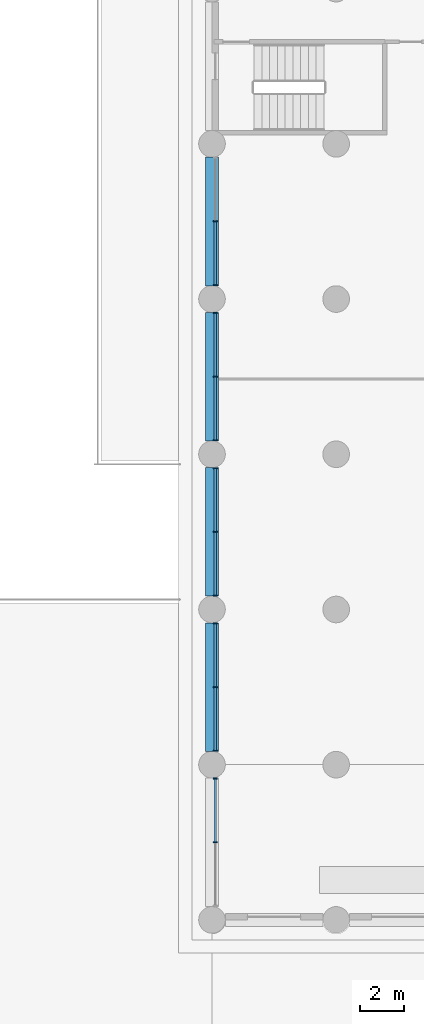
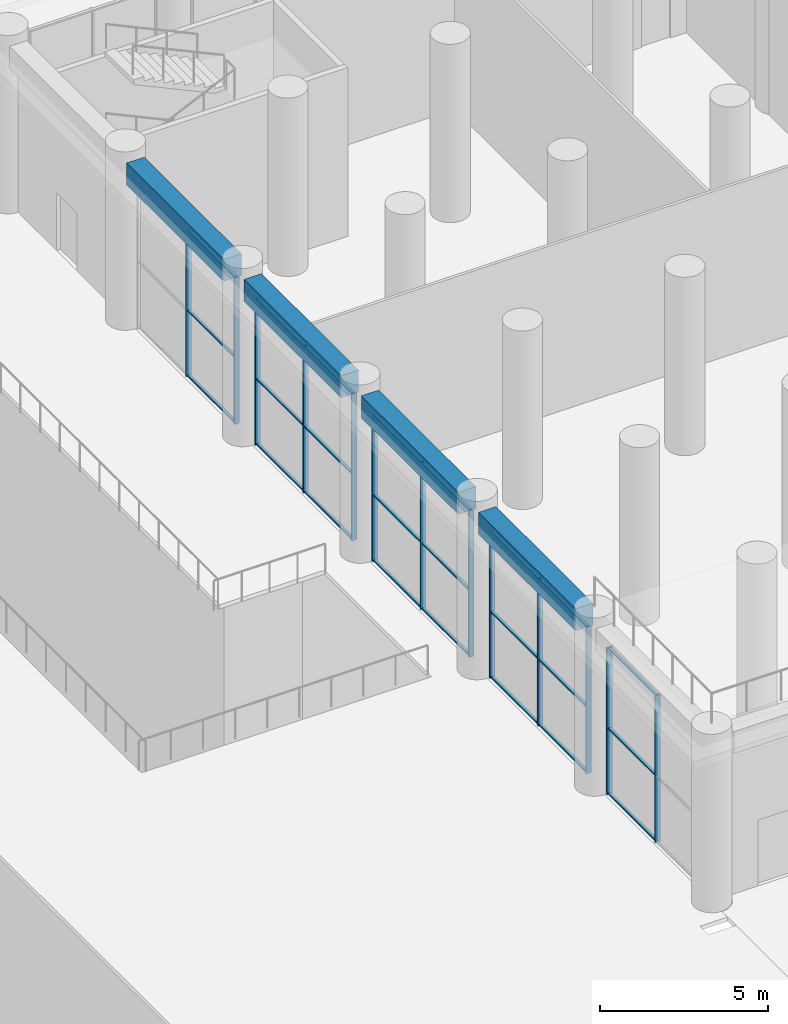
# One storey, part 5 of 51: 37 members, 4 beams, 5 elements without a shape of their own.
"""IFC4 building model written with IfcOpenShell, lengths in metres."""

from ifc_helpers import new_model, si_unit, direction, frame, origin, origin_2d, place, context, subcontext, project, spatial, rectangle, extrude, material, layer, layer_set, material_profile, profile_set, type_object, element, aggregate, save


model = new_model("IFC4")

# Units and contexts
model_context = context("Model", 3, precision=1e-05, world=origin(), true_north=direction((0.0, 1.0)))
body_context = subcontext(model_context, "Body", "Model", "MODEL_VIEW")
ifc_project = project(units=[si_unit("LENGTHUNIT", "METRE"), si_unit("AREAUNIT", "SQUARE_METRE"), si_unit("VOLUMEUNIT", "CUBIC_METRE"), si_unit("PLANEANGLEUNIT", "RADIAN"), si_unit("MASSUNIT", "GRAM", prefix="KILO")], contexts=[model_context])

# Site, building, storey
site_placement = place(None, origin())
site = spatial("IfcSite", under=ifc_project, at=site_placement, CompositionType="ELEMENT")
building_placement = place(site_placement, origin())
building = spatial("IfcBuilding", under=site, at=building_placement, Name="Kiln Ring Residences", CompositionType="ELEMENT")
storey_placement = place(building_placement, origin())
storey = spatial("IfcBuildingStorey", under=building, at=storey_placement, Name="L00", CompositionType="ELEMENT", Elevation=0.0)

# Curtain wall, members
ifc_material_1 = material(Name="Aluminium and glass", Category="aluminium")
ifc_layer = layer(ifc_material_1, 0.179931640625)
ifc_layer_set = layer_set([ifc_layer], Name="CW2 CURTAIN WALL")
curtain_wall_type = type_object("IfcCurtainWallType", Name="CW2 CURTAIN WALL", PredefinedType="NOTDEFINED", material=ifc_layer_set)
placement = place(storey_placement, origin())
curtain_wall_1 = element("IfcCurtainWall", 1, at=placement, inside=storey, type_object=curtain_wall_type, Name="Curtain wall CW2 L00", PredefinedType="NOTDEFINED")
ifc_material_2 = material(Name="Aluminium 6063-T6", Category="aluminium")
ifc_material_profile_1 = material_profile(ifc_material_2, rectangle(XDim=0.179931640625, YDim=0.050048828125, at=origin_2d()), Name="AL 180x50")
ifc_profile_set_1 = profile_set([ifc_material_profile_1], Name="Aluminium 6063-T6")
member_type_1 = type_object("IfcMemberType", Name="CW2 MULLION 180 x 50", PredefinedType="MULLION", material=ifc_profile_set_1)
member_1_placement = place(storey_placement, frame((-44.64990234375, -32.89990234375, 0.0), z_axis=(0.0, 0.0, 1.0), x_axis=(1.0, 0.0, 0.0)))
member_1 = element("IfcMember", 2, at=member_1_placement, type_object=member_type_1, Name="CW2 mullion 2", PredefinedType="MULLION", context=body_context, shape_type="SweptSolid", body=[
    extrude(rectangle(XDim=0.179931640625, YDim=0.050048828125, at=origin_2d()), origin(), (0.0, 0.0, 1.0), 5.35009765625),
])
member_2_placement = place(storey_placement, frame((-44.64990234375, -35.77490234375, 0.0), z_axis=(0.0, 0.0, 1.0), x_axis=(1.0, 0.0, 0.0)))
member_2 = element("IfcMember", 3, at=member_2_placement, type_object=member_type_1, Name="CW2 mullion 3", PredefinedType="MULLION", context=body_context, shape_type="SweptSolid", body=[
    extrude(rectangle(XDim=0.179931640625, YDim=0.050048828125, at=origin_2d()), origin(), (0.0, 0.0, 1.0), 5.35009765625),
])

curtain_wall_2 = element("IfcCurtainWall", 4, at=placement, inside=storey, type_object=curtain_wall_type, Name="Curtain wall CW2 L00", PredefinedType="NOTDEFINED")
member_3_placement = place(storey_placement, frame((-44.64990234375, -37.02490234375, 0.0), z_axis=(0.0, 0.0, 1.0), x_axis=(1.0, 0.0, 0.0)))
member_3 = element("IfcMember", 5, at=member_3_placement, type_object=member_type_1, Name="CW2 mullion 1", PredefinedType="MULLION", context=body_context, shape_type="SweptSolid", body=[
    extrude(rectangle(XDim=0.179931640625, YDim=0.050048828125, at=origin_2d()), origin(), (0.0, 0.0, 1.0), 5.35009765625),
])
member_4_placement = place(storey_placement, frame((-44.64990234375, -39.89990234375, 0.0), z_axis=(0.0, 0.0, 1.0), x_axis=(1.0, 0.0, 0.0)))
member_4 = element("IfcMember", 6, at=member_4_placement, type_object=member_type_1, Name="CW2 mullion 2", PredefinedType="MULLION", context=body_context, shape_type="SweptSolid", body=[
    extrude(rectangle(XDim=0.179931640625, YDim=0.050048828125, at=origin_2d()), origin(), (0.0, 0.0, 1.0), 5.35009765625),
])
member_5_placement = place(storey_placement, frame((-44.64990234375, -42.77490234375, 0.0), z_axis=(0.0, 0.0, 1.0), x_axis=(1.0, 0.0, 0.0)))
member_5 = element("IfcMember", 7, at=member_5_placement, type_object=member_type_1, Name="CW2 mullion 3", PredefinedType="MULLION", context=body_context, shape_type="SweptSolid", body=[
    extrude(rectangle(XDim=0.179931640625, YDim=0.050048828125, at=origin_2d()), origin(), (0.0, 0.0, 1.0), 5.35009765625),
])

curtain_wall_3 = element("IfcCurtainWall", 8, at=placement, inside=storey, type_object=curtain_wall_type, Name="Curtain wall CW2 L00", PredefinedType="NOTDEFINED")
member_6_placement = place(storey_placement, frame((-44.64990234375, -44.02490234375, 0.0), z_axis=(0.0, 0.0, 1.0), x_axis=(1.0, 0.0, 0.0)))
member_6 = element("IfcMember", 9, at=member_6_placement, type_object=member_type_1, Name="CW2 mullion 1", PredefinedType="MULLION", context=body_context, shape_type="SweptSolid", body=[
    extrude(rectangle(XDim=0.179931640625, YDim=0.050048828125, at=origin_2d()), origin(), (0.0, 0.0, 1.0), 5.35009765625),
])
member_7_placement = place(storey_placement, frame((-44.64990234375, -46.89990234375, 0.0), z_axis=(0.0, 0.0, 1.0), x_axis=(1.0, 0.0, 0.0)))
member_7 = element("IfcMember", 10, at=member_7_placement, type_object=member_type_1, Name="CW2 mullion 2", PredefinedType="MULLION", context=body_context, shape_type="SweptSolid", body=[
    extrude(rectangle(XDim=0.179931640625, YDim=0.050048828125, at=origin_2d()), origin(), (0.0, 0.0, 1.0), 5.35009765625),
])
member_8_placement = place(storey_placement, frame((-44.64990234375, -49.77490234375, 0.0), z_axis=(0.0, 0.0, 1.0), x_axis=(1.0, 0.0, 0.0)))
member_8 = element("IfcMember", 11, at=member_8_placement, type_object=member_type_1, Name="CW2 mullion 3", PredefinedType="MULLION", context=body_context, shape_type="SweptSolid", body=[
    extrude(rectangle(XDim=0.179931640625, YDim=0.050048828125, at=origin_2d()), origin(), (0.0, 0.0, 1.0), 5.35009765625),
])

curtain_wall_4 = element("IfcCurtainWall", 12, at=placement, inside=storey, type_object=curtain_wall_type, Name="Curtain wall CW2 L00", PredefinedType="NOTDEFINED")
member_9_placement = place(storey_placement, frame((-44.64990234375, -51.02490234375, 0.0), z_axis=(0.0, 0.0, 1.0), x_axis=(1.0, 0.0, 0.0)))
member_9 = element("IfcMember", 13, at=member_9_placement, type_object=member_type_1, Name="CW2 mullion 1", PredefinedType="MULLION", context=body_context, shape_type="SweptSolid", body=[
    extrude(rectangle(XDim=0.179931640625, YDim=0.050048828125, at=origin_2d()), origin(), (0.0, 0.0, 1.0), 5.35009765625),
])
member_10_placement = place(storey_placement, frame((-44.64990234375, -53.89990234375, 0.0), z_axis=(0.0, 0.0, 1.0), x_axis=(1.0, 0.0, 0.0)))
member_10 = element("IfcMember", 14, at=member_10_placement, type_object=member_type_1, Name="CW2 mullion 2", PredefinedType="MULLION", context=body_context, shape_type="SweptSolid", body=[
    extrude(rectangle(XDim=0.179931640625, YDim=0.050048828125, at=origin_2d()), origin(), (0.0, 0.0, 1.0), 5.35009765625),
])
member_11_placement = place(storey_placement, frame((-44.64990234375, -56.77490234375, 0.0), z_axis=(0.0, 0.0, 1.0), x_axis=(1.0, 0.0, 0.0)))
member_11 = element("IfcMember", 15, at=member_11_placement, type_object=member_type_1, Name="CW2 mullion 3", PredefinedType="MULLION", context=body_context, shape_type="SweptSolid", body=[
    extrude(rectangle(XDim=0.179931640625, YDim=0.050048828125, at=origin_2d()), origin(), (0.0, 0.0, 1.0), 5.35009765625),
])

curtain_wall_5 = element("IfcCurtainWall", 16, at=placement, inside=storey, type_object=curtain_wall_type, Name="Curtain wall CW2 L00", PredefinedType="NOTDEFINED")
member_12_placement = place(storey_placement, frame((-44.64990234375, -58.02490234375, 0.0), z_axis=(0.0, 0.0, 1.0), x_axis=(1.0, 0.0, 0.0)))
member_12 = element("IfcMember", 17, at=member_12_placement, type_object=member_type_1, Name="CW2 mullion 1", PredefinedType="MULLION", context=body_context, shape_type="SweptSolid", body=[
    extrude(rectangle(XDim=0.179931640625, YDim=0.050048828125, at=origin_2d()), origin(), (0.0, 0.0, 1.0), 5.35009765625),
])
member_13_placement = place(storey_placement, frame((-44.64990234375, -60.89990234375, 0.0), z_axis=(0.0, 0.0, 1.0), x_axis=(1.0, 0.0, 0.0)))
member_13 = element("IfcMember", 18, at=member_13_placement, type_object=member_type_1, Name="CW2 mullion 2", PredefinedType="MULLION", context=body_context, shape_type="SweptSolid", body=[
    extrude(rectangle(XDim=0.179931640625, YDim=0.050048828125, at=origin_2d()), origin(), (0.0, 0.0, 1.0), 5.35009765625),
])

# Member
ifc_material_3 = material(Name="Aluminium 6063-T6", Category="aluminium")
ifc_material_profile_2 = material_profile(ifc_material_3, rectangle(XDim=0.10009765625, YDim=0.050048828125, at=origin_2d()), Name="AL 100x50")
ifc_profile_set_2 = profile_set([ifc_material_profile_2], Name="Aluminium 6063-T6")
member_type_2 = type_object("IfcMemberType", Name="CW2 TRANSOM 100 x 50", PredefinedType="USERDEFINED", material=ifc_profile_set_2)
member_14_placement = place(storey_placement, frame((-44.64990234375, -32.925048828125, 0.02490234375), z_axis=(0.0, -1.0, 0.0), x_axis=(1.0, 0.0, 0.0)))
member_14 = element("IfcMember", 19, at=member_14_placement, type_object=member_type_2, Name="CW2 transom 2.1", ObjectType="TRANSOM", PredefinedType="USERDEFINED", context=body_context, shape_type="SweptSolid", body=[
    extrude(rectangle(XDim=0.10009765625, YDim=0.050048828125, at=origin_2d()), origin(), (0.0, 0.0, 1.0), 2.824951171875),
])

member_15_placement = place(storey_placement, frame((-44.64990234375, -32.925048828125, 2.39990234375), z_axis=(0.0, -1.0, 0.0), x_axis=(1.0, 0.0, 0.0)))
member_15 = element("IfcMember", 20, at=member_15_placement, type_object=member_type_2, Name="CW2 transom 2.2", ObjectType="TRANSOM", PredefinedType="USERDEFINED", context=body_context, shape_type="SweptSolid", body=[
    extrude(rectangle(XDim=0.10009765625, YDim=0.050048828125, at=origin_2d()), origin(), (0.0, 0.0, 1.0), 2.824951171875),
])

member_16_placement = place(storey_placement, frame((-44.64990234375, -32.925048828125, 5.324951171875), z_axis=(0.0, -1.0, 0.0), x_axis=(1.0, 0.0, 0.0)))
member_16 = element("IfcMember", 21, at=member_16_placement, type_object=member_type_2, Name="CW2 transom 2.3", ObjectType="TRANSOM", PredefinedType="USERDEFINED", context=body_context, shape_type="SweptSolid", body=[
    extrude(rectangle(XDim=0.10009765625, YDim=0.050048828125, at=origin_2d()), origin(), (0.0, 0.0, 1.0), 2.824951171875),
])

aggregate(curtain_wall_1, [member_1, member_2, member_14, member_15, member_16])

member_17_placement = place(storey_placement, frame((-44.64990234375, -37.050048828125, 0.02490234375), z_axis=(0.0, -1.0, 0.0), x_axis=(1.0, 0.0, 0.0)))
member_17 = element("IfcMember", 22, at=member_17_placement, type_object=member_type_2, Name="CW2 transom 1.1", ObjectType="TRANSOM", PredefinedType="USERDEFINED", context=body_context, shape_type="SweptSolid", body=[
    extrude(rectangle(XDim=0.10009765625, YDim=0.050048828125, at=origin_2d()), origin(), (0.0, 0.0, 1.0), 2.824951171875),
])

member_18_placement = place(storey_placement, frame((-44.64990234375, -37.050048828125, 2.39990234375), z_axis=(0.0, -1.0, 0.0), x_axis=(1.0, 0.0, 0.0)))
member_18 = element("IfcMember", 23, at=member_18_placement, type_object=member_type_2, Name="CW2 transom 1.2", ObjectType="TRANSOM", PredefinedType="USERDEFINED", context=body_context, shape_type="SweptSolid", body=[
    extrude(rectangle(XDim=0.10009765625, YDim=0.050048828125, at=origin_2d()), origin(), (0.0, 0.0, 1.0), 2.824951171875),
])

member_19_placement = place(storey_placement, frame((-44.64990234375, -37.050048828125, 5.324951171875), z_axis=(0.0, -1.0, 0.0), x_axis=(1.0, 0.0, 0.0)))
member_19 = element("IfcMember", 24, at=member_19_placement, type_object=member_type_2, Name="CW2 transom 1.3", ObjectType="TRANSOM", PredefinedType="USERDEFINED", context=body_context, shape_type="SweptSolid", body=[
    extrude(rectangle(XDim=0.10009765625, YDim=0.050048828125, at=origin_2d()), origin(), (0.0, 0.0, 1.0), 2.824951171875),
])

member_20_placement = place(storey_placement, frame((-44.64990234375, -39.925048828125, 0.02490234375), z_axis=(0.0, -1.0, 0.0), x_axis=(1.0, 0.0, 0.0)))
member_20 = element("IfcMember", 25, at=member_20_placement, type_object=member_type_2, Name="CW2 transom 2.1", ObjectType="TRANSOM", PredefinedType="USERDEFINED", context=body_context, shape_type="SweptSolid", body=[
    extrude(rectangle(XDim=0.10009765625, YDim=0.050048828125, at=origin_2d()), origin(), (0.0, 0.0, 1.0), 2.824951171875),
])

member_21_placement = place(storey_placement, frame((-44.64990234375, -39.925048828125, 2.39990234375), z_axis=(0.0, -1.0, 0.0), x_axis=(1.0, 0.0, 0.0)))
member_21 = element("IfcMember", 26, at=member_21_placement, type_object=member_type_2, Name="CW2 transom 2.2", ObjectType="TRANSOM", PredefinedType="USERDEFINED", context=body_context, shape_type="SweptSolid", body=[
    extrude(rectangle(XDim=0.10009765625, YDim=0.050048828125, at=origin_2d()), origin(), (0.0, 0.0, 1.0), 2.824951171875),
])

member_22_placement = place(storey_placement, frame((-44.64990234375, -39.925048828125, 5.324951171875), z_axis=(0.0, -1.0, 0.0), x_axis=(1.0, 0.0, 0.0)))
member_22 = element("IfcMember", 27, at=member_22_placement, type_object=member_type_2, Name="CW2 transom 2.3", ObjectType="TRANSOM", PredefinedType="USERDEFINED", context=body_context, shape_type="SweptSolid", body=[
    extrude(rectangle(XDim=0.10009765625, YDim=0.050048828125, at=origin_2d()), origin(), (0.0, 0.0, 1.0), 2.824951171875),
])

aggregate(curtain_wall_2, [member_3, member_4, member_5, member_17, member_18, member_19, member_20, member_21, member_22])

member_23_placement = place(storey_placement, frame((-44.64990234375, -44.050048828125, 0.02490234375), z_axis=(0.0, -1.0, 0.0), x_axis=(1.0, 0.0, 0.0)))
member_23 = element("IfcMember", 28, at=member_23_placement, type_object=member_type_2, Name="CW2 transom 1.1", ObjectType="TRANSOM", PredefinedType="USERDEFINED", context=body_context, shape_type="SweptSolid", body=[
    extrude(rectangle(XDim=0.10009765625, YDim=0.050048828125, at=origin_2d()), origin(), (0.0, 0.0, 1.0), 2.824951171875),
])

member_24_placement = place(storey_placement, frame((-44.64990234375, -44.050048828125, 2.39990234375), z_axis=(0.0, -1.0, 0.0), x_axis=(1.0, 0.0, 0.0)))
member_24 = element("IfcMember", 29, at=member_24_placement, type_object=member_type_2, Name="CW2 transom 1.2", ObjectType="TRANSOM", PredefinedType="USERDEFINED", context=body_context, shape_type="SweptSolid", body=[
    extrude(rectangle(XDim=0.10009765625, YDim=0.050048828125, at=origin_2d()), origin(), (0.0, 0.0, 1.0), 2.824951171875),
])

member_25_placement = place(storey_placement, frame((-44.64990234375, -44.050048828125, 5.324951171875), z_axis=(0.0, -1.0, 0.0), x_axis=(1.0, 0.0, 0.0)))
member_25 = element("IfcMember", 30, at=member_25_placement, type_object=member_type_2, Name="CW2 transom 1.3", ObjectType="TRANSOM", PredefinedType="USERDEFINED", context=body_context, shape_type="SweptSolid", body=[
    extrude(rectangle(XDim=0.10009765625, YDim=0.050048828125, at=origin_2d()), origin(), (0.0, 0.0, 1.0), 2.824951171875),
])

member_26_placement = place(storey_placement, frame((-44.64990234375, -46.925048828125, 0.02490234375), z_axis=(0.0, -1.0, 0.0), x_axis=(1.0, 0.0, 0.0)))
member_26 = element("IfcMember", 31, at=member_26_placement, type_object=member_type_2, Name="CW2 transom 2.1", ObjectType="TRANSOM", PredefinedType="USERDEFINED", context=body_context, shape_type="SweptSolid", body=[
    extrude(rectangle(XDim=0.10009765625, YDim=0.050048828125, at=origin_2d()), origin(), (0.0, 0.0, 1.0), 2.824951171875),
])

member_27_placement = place(storey_placement, frame((-44.64990234375, -46.925048828125, 2.39990234375), z_axis=(0.0, -1.0, 0.0), x_axis=(1.0, 0.0, 0.0)))
member_27 = element("IfcMember", 32, at=member_27_placement, type_object=member_type_2, Name="CW2 transom 2.2", ObjectType="TRANSOM", PredefinedType="USERDEFINED", context=body_context, shape_type="SweptSolid", body=[
    extrude(rectangle(XDim=0.10009765625, YDim=0.050048828125, at=origin_2d()), origin(), (0.0, 0.0, 1.0), 2.824951171875),
])

member_28_placement = place(storey_placement, frame((-44.64990234375, -46.925048828125, 5.324951171875), z_axis=(0.0, -1.0, 0.0), x_axis=(1.0, 0.0, 0.0)))
member_28 = element("IfcMember", 33, at=member_28_placement, type_object=member_type_2, Name="CW2 transom 2.3", ObjectType="TRANSOM", PredefinedType="USERDEFINED", context=body_context, shape_type="SweptSolid", body=[
    extrude(rectangle(XDim=0.10009765625, YDim=0.050048828125, at=origin_2d()), origin(), (0.0, 0.0, 1.0), 2.824951171875),
])

aggregate(curtain_wall_3, [member_6, member_7, member_8, member_23, member_24, member_25, member_26, member_27, member_28])

member_29_placement = place(storey_placement, frame((-44.64990234375, -51.050048828125, 0.02490234375), z_axis=(0.0, -1.0, 0.0), x_axis=(1.0, 0.0, 0.0)))
member_29 = element("IfcMember", 34, at=member_29_placement, type_object=member_type_2, Name="CW2 transom 1.1", ObjectType="TRANSOM", PredefinedType="USERDEFINED", context=body_context, shape_type="SweptSolid", body=[
    extrude(rectangle(XDim=0.10009765625, YDim=0.050048828125, at=origin_2d()), origin(), (0.0, 0.0, 1.0), 2.824951171875),
])

member_30_placement = place(storey_placement, frame((-44.64990234375, -51.050048828125, 2.39990234375), z_axis=(0.0, -1.0, 0.0), x_axis=(1.0, 0.0, 0.0)))
member_30 = element("IfcMember", 35, at=member_30_placement, type_object=member_type_2, Name="CW2 transom 1.2", ObjectType="TRANSOM", PredefinedType="USERDEFINED", context=body_context, shape_type="SweptSolid", body=[
    extrude(rectangle(XDim=0.10009765625, YDim=0.050048828125, at=origin_2d()), origin(), (0.0, 0.0, 1.0), 2.824951171875),
])

member_31_placement = place(storey_placement, frame((-44.64990234375, -51.050048828125, 5.324951171875), z_axis=(0.0, -1.0, 0.0), x_axis=(1.0, 0.0, 0.0)))
member_31 = element("IfcMember", 36, at=member_31_placement, type_object=member_type_2, Name="CW2 transom 1.3", ObjectType="TRANSOM", PredefinedType="USERDEFINED", context=body_context, shape_type="SweptSolid", body=[
    extrude(rectangle(XDim=0.10009765625, YDim=0.050048828125, at=origin_2d()), origin(), (0.0, 0.0, 1.0), 2.824951171875),
])

member_32_placement = place(storey_placement, frame((-44.64990234375, -53.925048828125, 0.02490234375), z_axis=(0.0, -1.0, 0.0), x_axis=(1.0, 0.0, 0.0)))
member_32 = element("IfcMember", 37, at=member_32_placement, type_object=member_type_2, Name="CW2 transom 2.1", ObjectType="TRANSOM", PredefinedType="USERDEFINED", context=body_context, shape_type="SweptSolid", body=[
    extrude(rectangle(XDim=0.10009765625, YDim=0.050048828125, at=origin_2d()), origin(), (0.0, 0.0, 1.0), 2.824951171875),
])

member_33_placement = place(storey_placement, frame((-44.64990234375, -53.925048828125, 2.39990234375), z_axis=(0.0, -1.0, 0.0), x_axis=(1.0, 0.0, 0.0)))
member_33 = element("IfcMember", 38, at=member_33_placement, type_object=member_type_2, Name="CW2 transom 2.2", ObjectType="TRANSOM", PredefinedType="USERDEFINED", context=body_context, shape_type="SweptSolid", body=[
    extrude(rectangle(XDim=0.10009765625, YDim=0.050048828125, at=origin_2d()), origin(), (0.0, 0.0, 1.0), 2.824951171875),
])

member_34_placement = place(storey_placement, frame((-44.64990234375, -53.925048828125, 5.324951171875), z_axis=(0.0, -1.0, 0.0), x_axis=(1.0, 0.0, 0.0)))
member_34 = element("IfcMember", 39, at=member_34_placement, type_object=member_type_2, Name="CW2 transom 2.3", ObjectType="TRANSOM", PredefinedType="USERDEFINED", context=body_context, shape_type="SweptSolid", body=[
    extrude(rectangle(XDim=0.10009765625, YDim=0.050048828125, at=origin_2d()), origin(), (0.0, 0.0, 1.0), 2.824951171875),
])

aggregate(curtain_wall_4, [member_9, member_10, member_11, member_29, member_30, member_31, member_32, member_33, member_34])

member_35_placement = place(storey_placement, frame((-44.64990234375, -58.050048828125, 0.02490234375), z_axis=(0.0, -1.0, 0.0), x_axis=(1.0, 0.0, 0.0)))
member_35 = element("IfcMember", 40, at=member_35_placement, type_object=member_type_2, Name="CW2 transom 1.1", ObjectType="TRANSOM", PredefinedType="USERDEFINED", context=body_context, shape_type="SweptSolid", body=[
    extrude(rectangle(XDim=0.10009765625, YDim=0.050048828125, at=origin_2d()), origin(), (0.0, 0.0, 1.0), 2.824951171875),
])

member_36_placement = place(storey_placement, frame((-44.64990234375, -58.050048828125, 2.39990234375), z_axis=(0.0, -1.0, 0.0), x_axis=(1.0, 0.0, 0.0)))
member_36 = element("IfcMember", 41, at=member_36_placement, type_object=member_type_2, Name="CW2 transom 1.2", ObjectType="TRANSOM", PredefinedType="USERDEFINED", context=body_context, shape_type="SweptSolid", body=[
    extrude(rectangle(XDim=0.10009765625, YDim=0.050048828125, at=origin_2d()), origin(), (0.0, 0.0, 1.0), 2.824951171875),
])

member_37_placement = place(storey_placement, frame((-44.64990234375, -58.050048828125, 5.324951171875), z_axis=(0.0, -1.0, 0.0), x_axis=(1.0, 0.0, 0.0)))
member_37 = element("IfcMember", 42, at=member_37_placement, type_object=member_type_2, Name="CW2 transom 1.3", ObjectType="TRANSOM", PredefinedType="USERDEFINED", context=body_context, shape_type="SweptSolid", body=[
    extrude(rectangle(XDim=0.10009765625, YDim=0.050048828125, at=origin_2d()), origin(), (0.0, 0.0, 1.0), 2.824951171875),
])

aggregate(curtain_wall_5, [member_12, member_13, member_35, member_36, member_37])

# Beams
ifc_material_4 = material(Name="Concrete C50/60", Category="concrete")
ifc_material_profile_3 = material_profile(ifc_material_4, rectangle(XDim=0.60009765625, YDim=0.800048828125, at=origin_2d()), Name="RC600x800")
ifc_profile_set_3 = profile_set([ifc_material_profile_3], Name="Concrete C50/60")
beam_type = type_object("IfcBeamType", Name="Ring beam RC600x800 C50/60", PredefinedType="BEAM", material=ifc_profile_set_3)
for number, where, z_axis, x_axis, name in (
    (43, (-44.800048828125, -30.0, 5.75), (0.0, -1.0, 0.0), (1.0, 0.0, 0.0), "Ring beam L00 18"),
    (44, (-44.800048828125, -37.0, 5.75), (0.0, -1.0, 0.0), (1.0, 0.0, 0.0), "Ring beam L00 19"),
    (45, (-44.800048828125, -44.0, 5.75), (0.0, -1.0, 0.0), (1.0, 0.0, 0.0), "Ring beam L00 20"),
    (46, (-44.800048828125, -51.0, 5.75), (0.0, -1.0, 0.0), (1.0, 0.0, 0.0), "Ring beam L00 21"),
):
    element("IfcBeam", number, at=place(storey_placement, frame(where, z_axis=z_axis, x_axis=x_axis)), inside=storey, type_object=beam_type, Name=name, PredefinedType="BEAM", context=body_context, shape_type="SweptSolid", body=[
        extrude(rectangle(XDim=0.60009765625, YDim=0.800048828125, at=origin_2d()), origin(), (0.0, 0.0, 1.0), 5.800048828125),
    ])

save(model, "model.ifc")
